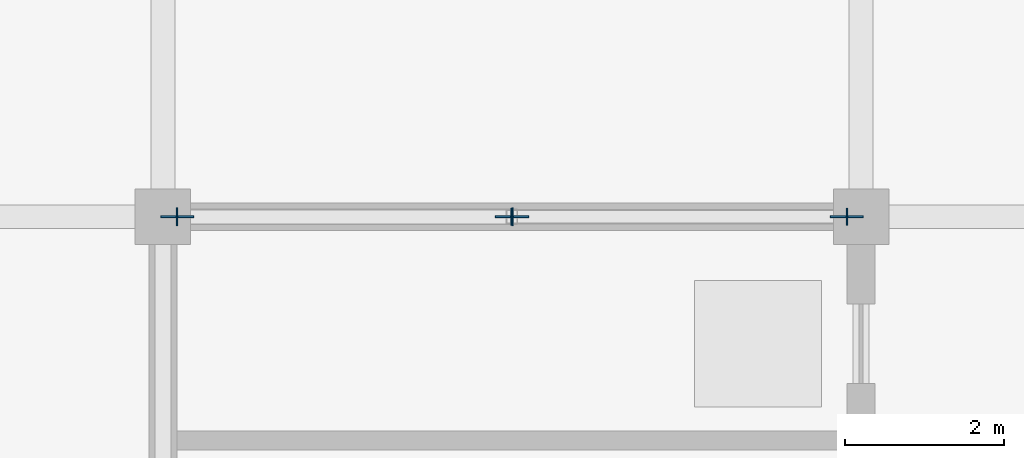
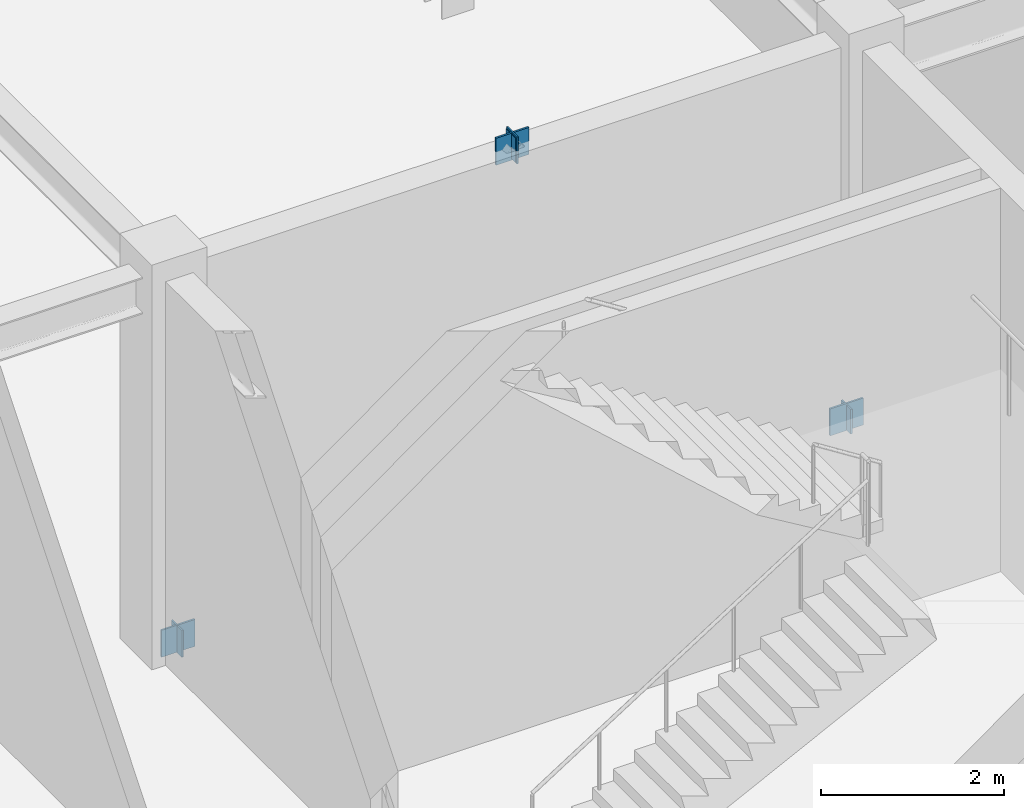
# One storey, part 80 of 119: 7 plates.
"""IFC4 building model written with IfcOpenShell, lengths in metres."""

from ifc_helpers import new_model, si_unit, direction, frame, origin, origin_2d, place, context, subcontext, project, spatial, rectangle, extrude, material, layer, layer_set, type_object, element, save


model = new_model("IFC4")

# Units and contexts
model_context = context("Model", 3, precision=1e-05, world=origin(), true_north=direction((0.0, 1.0)))
body_context = subcontext(model_context, "Body", "Model", "MODEL_VIEW")
ifc_project = project(units=[si_unit("LENGTHUNIT", "METRE"), si_unit("AREAUNIT", "SQUARE_METRE"), si_unit("VOLUMEUNIT", "CUBIC_METRE"), si_unit("PLANEANGLEUNIT", "RADIAN"), si_unit("MASSUNIT", "GRAM", prefix="KILO")], contexts=[model_context])

# Site, building, storey
site_placement = place(None, origin())
site = spatial("IfcSite", under=ifc_project, at=site_placement, CompositionType="ELEMENT")
building_placement = place(site_placement, origin())
building = spatial("IfcBuilding", under=site, at=building_placement, Name="Zhaolan Boulevard Law Courts", CompositionType="ELEMENT")
storey_placement = place(building_placement, origin())
storey = spatial("IfcBuildingStorey", under=building, at=storey_placement, Name="L00", CompositionType="ELEMENT", Elevation=0.0)

# Plates
ifc_material_1 = material(Name="Structural steel Q355B", Category="steel")
ifc_layer_1 = layer(ifc_material_1, 0.02392578125)
ifc_layer_set_1 = layer_set([ifc_layer_1])
plate_type_1 = type_object("IfcPlateType", Name="BRACE GUSSET PLATE 24", PredefinedType="SHEET", material=ifc_layer_set_1)
for number, where, z_axis, x_axis, name in (
    (1, (17.780029296875, 94.0, -0.14990234375), (0.0, 0.0, 1.0), (1.0, 0.0, 0.0), "Brace Gusset Connection Plate GP-L1-L00-NA1"),
    (2, (26.219970703125, 94.0, -0.14990234375), (0.0, 0.0, 1.0), (1.0, 0.0, 0.0), "Brace Gusset Connection Plate GP-L1-L00-NA2"),
    (3, (22.0, 94.0, 4.93994140625), (0.0, 0.0, 1.0), (1.0, 0.0, 0.0), "Brace Gusset Connection Plate GP-L1-L00-NAPX"),
):
    element("IfcPlate", number, at=place(storey_placement, frame(where, z_axis=z_axis, x_axis=x_axis)), inside=storey, type_object=plate_type_1, Name=name, PredefinedType="SHEET", context=body_context, shape_type="SweptSolid", body=[
        extrude(rectangle(XDim=0.419921875, YDim=0.02392578125, at=origin_2d()), origin(), (0.0, 0.0, 1.0), 0.360107421875),
    ])
ifc_material_2 = material(Name="Structural steel Q355B", Category="steel")
ifc_layer_2 = layer(ifc_material_2, 0.02001953125)
ifc_layer_set_2 = layer_set([ifc_layer_2])
plate_type_2 = type_object("IfcPlateType", Name="END CAP PLATE 20", PredefinedType="SHEET", material=ifc_layer_set_2)
for number, where, z_axis, x_axis, name in (
    (4, (17.77490234375, 94.0, -0.15625), (0.0, 0.0, 1.0), (1.0, 0.0, 0.0), "Hollow Section End-Cap Plate ECP-1343"),
    (5, (22.005126953125, 94.0, 4.9462890625), (0.0, 0.0, 1.0), (1.0, 0.0, 0.0), "Hollow Section End-Cap Plate ECP-1344"),
):
    element("IfcPlate", number, at=place(storey_placement, frame(where, z_axis=z_axis, x_axis=x_axis)), inside=storey, type_object=plate_type_2, Name=name, PredefinedType="SHEET", context=body_context, shape_type="SweptSolid", body=[
        extrude(rectangle(XDim=0.02001953125, YDim=0.22998046875, at=origin_2d()), origin(), (0.0, 0.0, 1.0), 0.360107421875),
    ])
for number, where, z_axis, x_axis, name in (
    (6, (26.22509765625, 94.0, -0.140869140625), (0.0, 0.0, 1.0), (-1.0, 0.0, 0.0), "Hollow Section End-Cap Plate ECP-1345"),
    (7, (21.994873046875, 94.0, 4.961669921875), (0.0, 0.0, 1.0), (-1.0, 0.0, 0.0), "Hollow Section End-Cap Plate ECP-1346"),
):
    element("IfcPlate", number, at=place(storey_placement, frame(where, z_axis=z_axis, x_axis=x_axis)), inside=storey, type_object=plate_type_2, Name=name, PredefinedType="SHEET", context=body_context, shape_type="SweptSolid", body=[
        extrude(rectangle(XDim=0.02001953125, YDim=0.2099609375, at=origin_2d()), origin(), (0.0, 0.0, 1.0), 0.3291015625),
    ])

save(model, "model.ifc")
